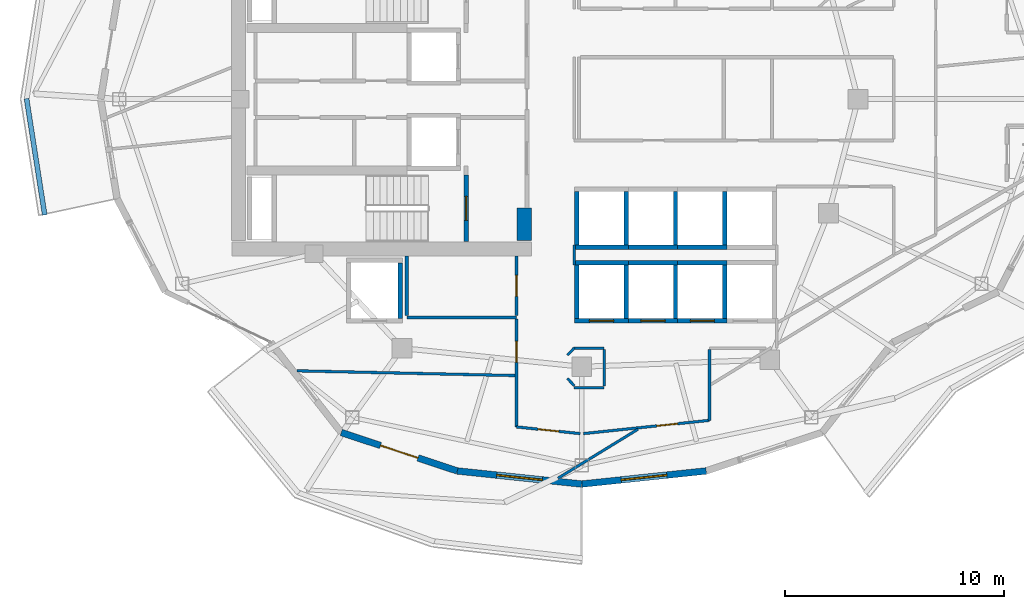
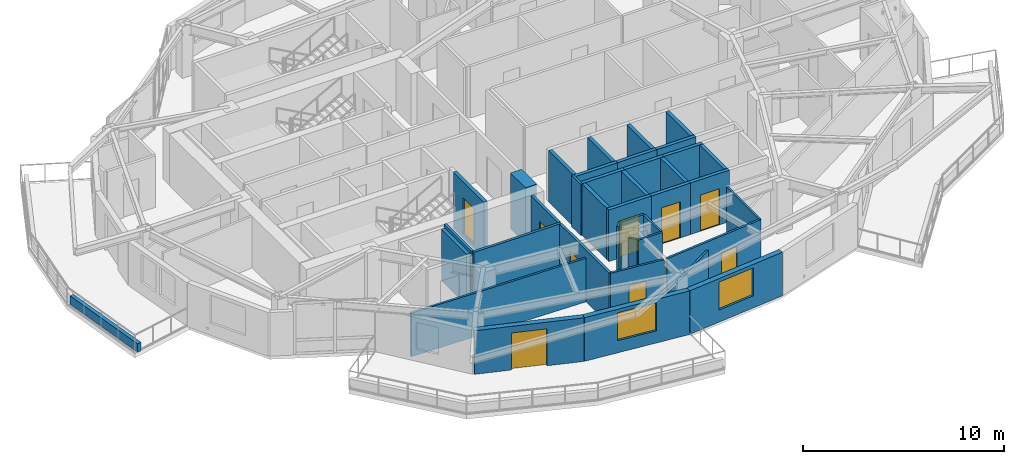
# One storey, part 7 of 16: 39 walls, 9 doors, 2 windows, 11 openings.
"""IFC4 building model written with IfcOpenShell, lengths in metres."""

import ifcopenshell
import ifcopenshell.guid

model = None  # the IFC model being written
_history = None  # IfcOwnerHistory: only IFC2X3 demands one
_inside = {}  # id of a spatial element -> (the spatial element, [elements in it])
_under = {}  # id of a project, library or spatial element -> (it, [spatial elements below it])
_declared = {}  # id of a project -> (the project, [libraries it declares])
_typed = {}  # id of a type object -> (the type object, [elements of that type])
_made_of = {}  # id of a material, layer set ... -> (it, [elements and type objects made of it])


def new_model(schema):
    """Start an empty IFC model of exactly this schema.

    Asked for "IFC4X3", IfcOpenShell would pick the latest addendum, in which some entities
    have other attributes; the version numbers below select the first issue.
    IFC2X3 requires an IfcOwnerHistory on every rooted entity: one is made here for all.
    """
    global model, _history
    if schema == "IFC4X3":
        model = ifcopenshell.file(schema_version=(4, 3, 0, 0))
    else:
        model = ifcopenshell.file(schema=schema)
    _inside.clear()
    _under.clear()
    _declared.clear()
    _typed.clear()
    _made_of.clear()
    _history = None
    if model.schema == "IFC2X3":
        org = make("IfcOrganization", Name="unknown")
        user = make(
            "IfcPersonAndOrganization",
            ThePerson=make("IfcPerson", FamilyName="unknown"),
            TheOrganization=org,
        )
        app = make(
            "IfcApplication",
            ApplicationDeveloper=org,
            Version="unknown",
            ApplicationFullName="unknown",
            ApplicationIdentifier="unknown",
        )
        _history = make(
            "IfcOwnerHistory",
            OwningUser=user,
            OwningApplication=app,
            ChangeAction="ADDED",
            CreationDate=0,
        )
    return model


def make(cls, **values):
    """One entity of the class cls with the attributes given. An attribute that is None is left unset."""
    return model.create_entity(
        cls, **{name: value for name, value in values.items() if value is not None}
    )


def rooted(cls, **values):
    """An entity with a GlobalId (a new one), such as an element, a storey or a relation."""
    return make(cls, GlobalId=ifcopenshell.guid.new(), OwnerHistory=_history, **values)


def si_unit(unit_type, name, prefix=None):
    """IfcSIUnit, for example si_unit("LENGTHUNIT", "METRE", prefix="MILLI")."""
    return make("IfcSIUnit", UnitType=unit_type, Prefix=prefix, Name=name)


def assignment(units):
    """IfcUnitAssignment: the units of a project."""
    return None if units is None else make("IfcUnitAssignment", Units=units)


def point(xyz):
    """IfcCartesianPoint."""
    return None if xyz is None else make("IfcCartesianPoint", Coordinates=xyz)


def direction(xyz):
    """IfcDirection."""
    return None if xyz is None else make("IfcDirection", DirectionRatios=xyz)


def frame(location, z_axis=None, x_axis=None):
    """IfcAxis2Placement3D, a coordinate frame: its origin and axes. An axis left out is left unset."""
    return make(
        "IfcAxis2Placement3D",
        Location=point(location),
        Axis=direction(z_axis),
        RefDirection=direction(x_axis),
    )


def frame_2d(location, x_axis=None):
    """IfcAxis2Placement2D, a coordinate frame in the plane: its origin and x axis."""
    return make(
        "IfcAxis2Placement2D", Location=point(location), RefDirection=direction(x_axis)
    )


def origin():
    """The frame at (0, 0, 0) with its axes left unset."""
    return frame((0.0, 0.0, 0.0))


def place(relative_to, where):
    """IfcLocalPlacement: puts the frame where relative to a parent placement (None: the world)."""
    return make(
        "IfcLocalPlacement", PlacementRelTo=relative_to, RelativePlacement=where
    )


def context(
    kind, dimensions, precision=None, world=None, true_north=None, identifier=None
):
    """IfcGeometricRepresentationContext, for example the 3D "Model" context."""
    return make(
        "IfcGeometricRepresentationContext",
        ContextIdentifier=identifier,
        ContextType=kind,
        CoordinateSpaceDimension=dimensions,
        Precision=precision,
        WorldCoordinateSystem=world,
        TrueNorth=true_north,
    )


def subcontext(parent, identifier, kind, view, scale=None):
    """IfcGeometricRepresentationSubContext, for example "Body" below "Model"."""
    return make(
        "IfcGeometricRepresentationSubContext",
        ContextIdentifier=identifier,
        ContextType=kind,
        ParentContext=parent,
        TargetScale=scale,
        TargetView=view,
    )


def project(units=None, contexts=None):
    """IfcProject with its units and contexts."""
    return rooted(
        "IfcProject",
        Name="project",
        RepresentationContexts=contexts,
        UnitsInContext=assignment(units),
    )


def spatial(cls, under=None, at=None, **own):
    """A site, building, storey or space (cls), placed at a placement, below another one or the project."""
    s = rooted(cls, ObjectPlacement=at, **own)
    if under is not None:
        _under.setdefault(under.id(), (under, []))[1].append(s)
    return s


def profile(cls, at=None, kind="AREA", **sizes):
    """A parametric profile (cls). Its sizes go by their IFC names, for example OverallWidth=200.0."""
    return make(cls, ProfileType=kind, Position=at, **sizes)


def rectangle(**sizes):
    """IfcRectangleProfileDef."""
    return profile("IfcRectangleProfileDef", **sizes)


def extrude(swept, where, along, depth):
    """IfcExtrudedAreaSolid: the profile swept, set in the frame where, extruded along a direction by depth."""
    return make(
        "IfcExtrudedAreaSolid",
        SweptArea=swept,
        Position=where,
        ExtrudedDirection=direction(along),
        Depth=depth,
    )


def shape(context_of_items, identifier, shape_type, items):
    """IfcShapeRepresentation: the items that make up one representation, for example the "Body"."""
    return make(
        "IfcShapeRepresentation",
        ContextOfItems=context_of_items,
        RepresentationIdentifier=identifier,
        RepresentationType=shape_type,
        Items=items,
    )


def material(Name=None, Category=None):
    """IfcMaterial."""
    return make("IfcMaterial", Name=Name, Category=Category)


def layer(
    of_material, thickness, ventilated=None, Name=None, Category=None, Priority=None
):
    """IfcMaterialLayer: one layer of a wall or slab, of a material (None: an air gap)."""
    return make(
        "IfcMaterialLayer",
        Material=of_material,
        LayerThickness=thickness,
        IsVentilated=ventilated,
        Name=Name,
        Category=Category,
        Priority=Priority,
    )


def layer_set(layers, Name=None):
    """IfcMaterialLayerSet."""
    return make("IfcMaterialLayerSet", MaterialLayers=layers, LayerSetName=Name)


def made_of(thing, what):
    """Note that an element or type object is made of a material, layer set ...; save() writes the relation."""
    if what is not None:
        _made_of.setdefault(what.id(), (what, []))[1].append(thing)
    return thing


def type_object(cls, material=None, **own):
    """A type object (cls), such as IfcWallType, which elements share."""
    return made_of(rooted(cls, **own), material)


def element(
    cls,
    number,
    at=None,
    inside=None,
    cuts=None,
    type_object=None,
    material=None,
    context=None,
    identifier="Body",
    shape_type=None,
    held_by="IfcProductDefinitionShape",
    body=None,
    shapes=None,
    **own,
):
    """One element of the class cls, such as IfcWall. Its Tag is "e" and its number.

    at: its placement. inside: the storey or other place that contains it. cuts: it is an
    opening in that element (IfcRelVoidsElement). A single representation is given by context,
    identifier, shape_type and body (its items); several are given by shapes. held_by: the class
    of the entity that holds the representations. save() writes the other relations.
    """
    e = rooted(cls, Tag="e%d" % number, ObjectPlacement=at, **own)
    if body is not None:
        shapes = [shape(context, identifier, shape_type, body)]
    if shapes is not None:
        e.Representation = make(held_by, Representations=shapes)
    if inside is not None:
        _inside.setdefault(inside.id(), (inside, []))[1].append(e)
    if cuts is not None:
        rooted(
            "IfcRelVoidsElement", RelatingBuildingElement=cuts, RelatedOpeningElement=e
        )
    if type_object is not None:
        _typed.setdefault(type_object.id(), (type_object, []))[1].append(e)
    return made_of(e, material)


def fill(opening, filler):
    """IfcRelFillsElement: the door or window that sits in an opening."""
    return rooted(
        "IfcRelFillsElement",
        RelatingOpeningElement=opening,
        RelatedBuildingElement=filler,
    )


def aggregate(whole, parts):
    """IfcRelAggregates: a whole, such as a stair, and the parts it consists of."""
    return rooted("IfcRelAggregates", RelatingObject=whole, RelatedObjects=parts)


def save(model, path):
    """Write the relations noted so far, then the file.

    IfcRelAggregates (storeys below a building ...), IfcRelContainedInSpatialStructure (elements
    in a storey), IfcRelDefinesByType, IfcRelAssociatesMaterial and IfcRelDeclares: one each for
    every whole, place, type object, material and project.
    """
    for whole, parts in _under.values():
        aggregate(whole, parts)
    for where, things in _inside.values():
        rooted(
            "IfcRelContainedInSpatialStructure",
            RelatedElements=things,
            RelatingStructure=where,
        )
    for kind, things in _typed.values():
        rooted("IfcRelDefinesByType", RelatedObjects=things, RelatingType=kind)
    for what, things in _made_of.values():
        rooted("IfcRelAssociatesMaterial", RelatedObjects=things, RelatingMaterial=what)
    for by, libraries in _declared.values():
        rooted("IfcRelDeclares", RelatingContext=by, RelatedDefinitions=libraries)
    model.write(path)


model = new_model("IFC4")

# Units and contexts
model_context = context("Model", 3, precision=1e-05, world=origin(), true_north=direction((0.0, 1.0)))
body_context = subcontext(model_context, "Body", "Model", "MODEL_VIEW")
ifc_project = project(units=[si_unit("LENGTHUNIT", "METRE"), si_unit("AREAUNIT", "SQUARE_METRE"), si_unit("VOLUMEUNIT", "CUBIC_METRE"), si_unit("PLANEANGLEUNIT", "RADIAN"), si_unit("MASSUNIT", "GRAM", prefix="KILO")], contexts=[model_context])

# Site, building, storey
site_placement = place(None, origin())
site = spatial("IfcSite", under=ifc_project, at=site_placement, CompositionType="ELEMENT")
building_placement = place(site_placement, origin())
building = spatial("IfcBuilding", under=site, at=building_placement, Name="Kolvaren Gate Tower and Convention Centre", CompositionType="ELEMENT")
storey_placement = place(building_placement, frame((0.0, 0.0, 149.5)))
storey = spatial("IfcBuildingStorey", under=building, at=storey_placement, Name="L38", CompositionType="ELEMENT", Elevation=149.5)

# Walls
ifc_material_1 = material(Name="Fire-Rated Acoustic Gypsum Stud Partition", Category="gypsum")
ifc_layer_1 = layer(ifc_material_1, 0.1201171875)
ifc_layer_set_1 = layer_set([ifc_layer_1], Name="Fire-Rated Acoustic Gypsum Stud Partition")
wall_type_1 = type_object("IfcWallType", Name="ARCH-WL-PART-120", PredefinedType="PARTITIONING", material=ifc_layer_set_1)
wall_1_placement = place(storey_placement, frame((29.780029296875, 15.64990234375, 0.0), z_axis=(0.0, 0.0, 1.0), x_axis=(1.0, 0.0, 0.0)))
element("IfcWall", 1, at=wall_1_placement, inside=storey, type_object=wall_type_1, Name="Interior Partition WL-L38-INT-025", PredefinedType="PARTITIONING", context=body_context, shape_type="SweptSolid", body=[
    extrude(rectangle(XDim=1.369873046875, YDim=0.1201171875, at=frame_2d((0.68505859375, 0.0))), origin(), (0.0, 0.0, 1.0), 3.1298828125),
])
wall_2_placement = place(storey_placement, frame((35.949951171875, 12.35595703125, 0.0), z_axis=(0.0, 0.0, 1.0), x_axis=(0.0, 1.0, 0.0)))
element("IfcWall", 2, at=wall_2_placement, inside=storey, type_object=wall_type_1, Name="Interior Partition WL-L38-INT-027", PredefinedType="PARTITIONING", context=body_context, shape_type="SweptSolid", body=[
    extrude(rectangle(XDim=3.23193359375, YDim=0.1201171875, at=frame_2d((1.615966796875, 0.0))), origin(), (0.0, 0.0, 1.0), 3.1298828125),
])

# Wall, opening, door
wall_3_placement = place(storey_placement, frame((30.195068359375, 11.75, 0.0), z_axis=(0.0, 0.0, 1.0), x_axis=(0.994502215954, 0.104715531139, 0.0)))
wall_3 = element("IfcWall", 3, at=wall_3_placement, inside=storey, type_object=wall_type_1, Name="Interior Partition WL-L38-INT-028", PredefinedType="PARTITIONING", context=body_context, shape_type="SweptSolid", body=[
    extrude(rectangle(XDim=5.78662109375, YDim=0.1201171875, at=frame_2d((2.893310546875, 0.0))), origin(), (0.0, 0.0, 1.0), 3.1298828125),
])
opening_1_placement = place(wall_3_placement, frame((3.369140625, 0.0, 0.0)))
opening_1 = element("IfcOpeningElement", 4, at=opening_1_placement, cuts=wall_3, Name="Opening DR-01", PredefinedType="OPENING", context=body_context, shape_type="SweptSolid", body=[
    extrude(rectangle(XDim=0.949951171875, YDim=2.10009765625, at=frame_2d((0.47509765625, 1.050048828125))), frame((0.0, 0.070068359375, 0.0), z_axis=(0.0, -1.0, 0.0), x_axis=(1.0, 0.0, 0.0)), (0.0, 0.0, 1.0), 0.14013671875),
])
ifc_material_2 = material(Name="Painted Architectural Steelwork ASTM A500 Grade C 345 MPa", Category="steel")
door_type_1 = type_object("IfcDoorType", Name="ARCH-DR-RISER-950", OperationType="SINGLE_SWING_RIGHT", PredefinedType="DOOR", material=ifc_material_2)
door_1_placement = place(opening_1_placement, origin())
door_1 = element("IfcDoor", 5, at=door_1_placement, inside=storey, type_object=door_type_1, Name="Banquet Catering Kitchen Door", OperationType="SINGLE_SWING_LEFT", OverallHeight=2.10009765625, OverallWidth=0.949951171875, PredefinedType="DOOR", context=body_context, shape_type="SweptSolid", body=[
    extrude(rectangle(XDim=0.949951171875, YDim=2.10009765625, at=frame_2d((0.47509765625, 1.050048828125))), frame((0.0, 0.02490234375, 0.0), z_axis=(0.0, -1.0, 0.0), x_axis=(1.0, 0.0, 0.0)), (0.0, 0.0, 1.0), 0.050048828125),
])
fill(opening_1, door_1)

wall_4_placement = place(storey_placement, frame((27.14990234375, 12.055908203125, 0.0), z_axis=(0.0, 0.0, 1.0), x_axis=(0.994501330468, -0.104723940422, 0.0)))
wall_4 = element("IfcWall", 6, at=wall_4_placement, inside=storey, type_object=wall_type_1, Name="Interior Partition WL-L38-INT-029", PredefinedType="PARTITIONING", context=body_context, shape_type="SweptSolid", body=[
    extrude(rectangle(XDim=2.921142578125, YDim=0.1201171875, at=frame_2d((1.46044921875, 0.0))), origin(), (0.0, 0.0, 1.0), 3.1298828125),
])
opening_2_placement = place(wall_4_placement, frame((0.985595703125, 0.0, 0.0)))
opening_2 = element("IfcOpeningElement", 7, at=opening_2_placement, cuts=wall_4, Name="Opening DR-01", PredefinedType="OPENING", context=body_context, shape_type="SweptSolid", body=[
    extrude(rectangle(XDim=0.949951171875, YDim=2.10009765625, at=frame_2d((0.47509765625, 1.050048828125))), frame((0.0, 0.070068359375, 0.0), z_axis=(0.0, -1.0, 0.0), x_axis=(1.0, 0.0, 0.0)), (0.0, 0.0, 1.0), 0.14013671875),
])
door_2_placement = place(opening_2_placement, origin())
door_2 = element("IfcDoor", 8, at=door_2_placement, inside=storey, type_object=door_type_1, Name="Banquet Tasting Pantry Door", OperationType="SINGLE_SWING_RIGHT", OverallHeight=2.10009765625, OverallWidth=0.949951171875, PredefinedType="DOOR", context=body_context, shape_type="SweptSolid", body=[
    extrude(rectangle(XDim=0.949951171875, YDim=2.10009765625, at=frame_2d((0.47509765625, 1.050048828125))), frame((0.0, 0.02490234375, 0.0), z_axis=(0.0, -1.0, 0.0), x_axis=(1.0, 0.0, 0.0)), (0.0, 0.0, 1.0), 0.050048828125),
])
fill(opening_2, door_2)

# Walls
wall_5_placement = place(storey_placement, frame((29.780029296875, 19.43994140625, 0.0), z_axis=(0.0, 0.0, 1.0), x_axis=(0.0, 1.0, 0.0)))
element("IfcWall", 9, at=wall_5_placement, inside=storey, type_object=wall_type_1, Name="Interior Partition WL-L38-INT-032", PredefinedType="PARTITIONING", context=body_context, shape_type="SweptSolid", body=[
    extrude(rectangle(XDim=0.920166015625, YDim=0.1201171875, at=frame_2d((0.4599609375, 0.0))), origin(), (0.0, 0.0, 1.0), 3.1298828125),
])
wall_6_placement = place(storey_placement, frame((29.47607421875, 15.3330078125, 0.0), z_axis=(0.0, 0.0, 1.0), x_axis=(0.692219273951, 0.721687243043, 0.0)))
element("IfcWall", 10, at=wall_6_placement, inside=storey, type_object=wall_type_1, Name="Interior Partition WL-L38-INT-048", PredefinedType="PARTITIONING", context=body_context, shape_type="SweptSolid", body=[
    extrude(rectangle(XDim=0.439208984375, YDim=0.1201171875, at=frame_2d((0.2197265625, 0.0))), origin(), (0.0, 0.0, 1.0), 3.1298828125),
])
wall_7_placement = place(storey_placement, frame((29.47607421875, 14.26708984375, 0.0), z_axis=(0.0, 0.0, 1.0), x_axis=(0.670659392016, -0.741765448037, 0.0)))
element("IfcWall", 11, at=wall_7_placement, inside=storey, type_object=wall_type_1, Name="Interior Partition WL-L38-INT-049", PredefinedType="PARTITIONING", context=body_context, shape_type="SweptSolid", body=[
    extrude(rectangle(XDim=0.453125, YDim=0.1201171875, at=frame_2d((0.2265625, 0.0))), origin(), (0.0, 0.0, 1.0), 3.1298828125),
])
wall_8_placement = place(storey_placement, frame((29.780029296875, 13.85009765625, 0.0), z_axis=(0.0, 0.0, 1.0), x_axis=(1.0, 0.0, 0.0)))
element("IfcWall", 12, at=wall_8_placement, inside=storey, type_object=wall_type_1, Name="Interior Partition WL-L38-INT-050", PredefinedType="PARTITIONING", context=body_context, shape_type="SweptSolid", body=[
    extrude(rectangle(XDim=1.369873046875, YDim=0.1201171875, at=frame_2d((0.68505859375, 0.0))), origin(), (0.0, 0.0, 1.0), 3.1298828125),
])
wall_9_placement = place(storey_placement, frame((31.14990234375, 13.912109375, 0.0), z_axis=(0.0, 0.0, 1.0), x_axis=(0.0, 1.0, 0.0)))
element("IfcWall", 13, at=wall_9_placement, inside=storey, type_object=wall_type_1, Name="Interior Partition WL-L38-INT-051", PredefinedType="PARTITIONING", context=body_context, shape_type="SweptSolid", body=[
    extrude(rectangle(XDim=1.67578125, YDim=0.1201171875, at=frame_2d((0.837890625, 0.0))), origin(), (0.0, 0.0, 1.0), 3.1298828125),
])
wall_10_placement = place(storey_placement, frame((17.147216796875, 14.614013671875, 0.0), z_axis=(0.0, 0.0, 1.0), x_axis=(0.99976262581, -0.021787428337, 0.0)))
element("IfcWall", 14, at=wall_10_placement, inside=storey, type_object=wall_type_1, Name="Interior Partition WL-L38-INT-054", PredefinedType="PARTITIONING", context=body_context, shape_type="SweptSolid", body=[
    extrude(rectangle(XDim=9.92822265625, YDim=0.1201171875, at=frame_2d((4.964111328125, 0.0))), origin(), (0.0, 0.0, 1.0), 2.653076171875),
])
wall_11_placement = place(storey_placement, frame((29.042724609375, 9.716796875, 0.0), z_axis=(0.0, 0.0, 1.0), x_axis=(0.85263162776, 0.522512494916, 0.0)))
element("IfcWall", 15, at=wall_11_placement, inside=storey, type_object=wall_type_1, Name="Interior Partition WL-L38-INT-055", PredefinedType="PARTITIONING", context=body_context, shape_type="SweptSolid", body=[
    extrude(rectangle(XDim=4.27392578125, YDim=0.1201171875, at=frame_2d((2.136962890625, 0.0))), origin(), (0.0, 0.0, 1.0), 2.653076171875),
])
ifc_material_3 = material(Name="Piedmont Cream Honed Limestone Cladding", Category="masonry")
ifc_layer_2 = layer(ifc_material_3, 0.219970703125)
ifc_layer_set_2 = layer_set([ifc_layer_2], Name="Piedmont Cream Honed Limestone Cladding")
wall_type_2 = type_object("IfcWallType", Name="ARCH-WL-PLANTER-220", PredefinedType="PARAPET", material=ifc_layer_set_2)
wall_12_placement = place(storey_placement, frame((4.805908203125, 27.029296875, 0.0), z_axis=(0.0, 0.0, 1.0), x_axis=(0.154245214003, -0.988032597619, 0.0)))
element("IfcWall", 16, at=wall_12_placement, inside=storey, type_object=wall_type_2, Name="Vertical-Forest Balcony Stone Planter Kerb PK-L38-2.3", PredefinedType="PARAPET", context=body_context, shape_type="SweptSolid", body=[
    extrude(rectangle(XDim=5.37353515625, YDim=0.219970703125, at=frame_2d((2.686767578125, 0.0))), origin(), (0.0, 0.0, 1.0), 0.52001953125),
])
ifc_material_4 = material(Name="Autoclaved Aerated Masonry Blockwork Class 4 (4.0 MPa)", Category="masonry")
ifc_layer_3 = layer(ifc_material_4, 0.199951171875)
ifc_layer_set_3 = layer_set([ifc_layer_3], Name="Autoclaved Aerated Masonry Blockwork Class 4 (4.0 MPa)")
wall_type_3 = type_object("IfcWallType", Name="ARCH-WL-SHAFT-200", PredefinedType="SOLIDWALL", material=ifc_layer_set_3)
wall_13_placement = place(storey_placement, frame((21.85009765625, 17.010009765625, 0.0), z_axis=(0.0, 0.0, 1.0), x_axis=(0.0, 1.0, 0.0)))
element("IfcWall", 17, at=wall_13_placement, inside=storey, type_object=wall_type_3, Name="Elevator SV-01 L38 Fire Shaft Wall E", PredefinedType="SOLIDWALL", context=body_context, shape_type="SweptSolid", body=[
    extrude(rectangle(XDim=2.530029296875, YDim=0.199951171875, at=frame_2d((1.26513671875, 0.0))), origin(), (0.0, 0.0, 1.0), 3.1298828125),
])
wall_14_placement = place(storey_placement, frame((29.800048828125, 19.550048828125, 0.0), z_axis=(0.0, 0.0, 1.0), x_axis=(1.0, 0.0, 0.0)))
element("IfcWall", 18, at=wall_14_placement, inside=storey, type_object=wall_type_3, Name="Elevator PL-05 L38 Fire Shaft Wall N", PredefinedType="SOLIDWALL", context=body_context, shape_type="SweptSolid", body=[
    extrude(rectangle(XDim=2.449951171875, YDim=0.199951171875, at=frame_2d((1.22509765625, 0.0))), origin(), (0.0, 0.0, 1.0), 3.1298828125),
])

# Wall, opening, door
wall_15_placement = place(storey_placement, frame((29.800048828125, 16.89990234375, 0.0), z_axis=(0.0, 0.0, 1.0), x_axis=(1.0, 0.0, 0.0)))
wall_15 = element("IfcWall", 19, at=wall_15_placement, inside=storey, type_object=wall_type_3, Name="Elevator PL-05 L38 Fire Shaft Wall S", PredefinedType="SOLIDWALL", context=body_context, shape_type="SweptSolid", body=[
    extrude(rectangle(XDim=2.449951171875, YDim=0.199951171875, at=frame_2d((1.22509765625, 0.0))), origin(), (0.0, 0.0, 1.0), 3.1298828125),
])
opening_3_placement = place(wall_15_placement, frame((0.675048828125, 0.0, 0.0)))
opening_3 = element("IfcOpeningElement", 20, at=opening_3_placement, cuts=wall_15, Name="Opening LD", PredefinedType="OPENING", context=body_context, shape_type="SweptSolid", body=[
    extrude(rectangle(XDim=1.10009765625, YDim=2.199951171875, at=frame_2d((0.550048828125, 1.10009765625))), frame((0.0, 0.10986328125, 0.0), z_axis=(0.0, -1.0, 0.0), x_axis=(1.0, 0.0, 0.0)), (0.0, 0.0, 1.0), 0.219970703125),
])
ifc_material_5 = material(Name="Brushed Stainless Steel Grade 316L", Category="steel")
door_type_2 = type_object("IfcDoorType", Name="ARCH-DR-LIFT-1100", OperationType="SLIDING_TO_LEFT", PredefinedType="DOOR", material=ifc_material_5)
door_3_placement = place(opening_3_placement, origin())
door_3 = element("IfcDoor", 21, at=door_3_placement, inside=storey, type_object=door_type_2, Name="Elevator PL-05 L38 Sliding Landing Door", OperationType="SLIDING_TO_LEFT", OverallHeight=2.199951171875, OverallWidth=1.10009765625, PredefinedType="DOOR", context=body_context, shape_type="SweptSolid", body=[
    extrude(rectangle(XDim=1.10009765625, YDim=2.199951171875, at=frame_2d((0.550048828125, 1.10009765625))), frame((0.0, 0.02490234375, 0.0), z_axis=(0.0, -1.0, 0.0), x_axis=(1.0, 0.0, 0.0)), (0.0, 0.0, 1.0), 0.050048828125),
])
fill(opening_3, door_3)

# Walls
for number, where, z_axis, x_axis, name in (
    (22, (29.89990234375, 17.010009765625, 0.0), (0.0, 0.0, 1.0), (0.0, 1.0, 0.0), "Elevator PL-05 L38 Fire Shaft Wall W"),
    (23, (32.14990234375, 17.010009765625, 0.0), (0.0, 0.0, 1.0), (0.0, 1.0, 0.0), "Elevator PL-05 L38 Fire Shaft Wall E"),
):
    element("IfcWall", number, at=place(storey_placement, frame(where, z_axis=z_axis, x_axis=x_axis)), inside=storey, type_object=wall_type_3, Name=name, PredefinedType="SOLIDWALL", context=body_context, shape_type="SweptSolid", body=[
        extrude(rectangle(XDim=2.429931640625, YDim=0.199951171875, at=frame_2d((1.21484375, 0.0))), origin(), (0.0, 0.0, 1.0), 3.1298828125),
    ])
wall_16_placement = place(storey_placement, frame((32.25, 19.550048828125, 0.0), z_axis=(0.0, 0.0, 1.0), x_axis=(1.0, 0.0, 0.0)))
element("IfcWall", 24, at=wall_16_placement, inside=storey, type_object=wall_type_3, Name="Elevator PL-06 L38 Fire Shaft Wall N", PredefinedType="SOLIDWALL", context=body_context, shape_type="SweptSolid", body=[
    extrude(rectangle(XDim=2.25, YDim=0.199951171875, at=frame_2d((1.125, 0.0))), origin(), (0.0, 0.0, 1.0), 3.1298828125),
])

# Wall, opening, door
wall_17_placement = place(storey_placement, frame((32.25, 16.89990234375, 0.0), z_axis=(0.0, 0.0, 1.0), x_axis=(1.0, 0.0, 0.0)))
wall_17 = element("IfcWall", 25, at=wall_17_placement, inside=storey, type_object=wall_type_3, Name="Elevator PL-06 L38 Fire Shaft Wall S", PredefinedType="SOLIDWALL", context=body_context, shape_type="SweptSolid", body=[
    extrude(rectangle(XDim=2.25, YDim=0.199951171875, at=frame_2d((1.125, 0.0))), origin(), (0.0, 0.0, 1.0), 3.1298828125),
])
opening_4_placement = place(wall_17_placement, frame((0.574951171875, 0.0, 0.0)))
opening_4 = element("IfcOpeningElement", 26, at=opening_4_placement, cuts=wall_17, Name="Opening LD", PredefinedType="OPENING", context=body_context, shape_type="SweptSolid", body=[
    extrude(rectangle(XDim=1.10009765625, YDim=2.199951171875, at=frame_2d((0.550048828125, 1.10009765625))), frame((0.0, 0.10986328125, 0.0), z_axis=(0.0, -1.0, 0.0), x_axis=(1.0, 0.0, 0.0)), (0.0, 0.0, 1.0), 0.219970703125),
])
door_4_placement = place(opening_4_placement, origin())
door_4 = element("IfcDoor", 27, at=door_4_placement, inside=storey, type_object=door_type_2, Name="Elevator PL-06 L38 Sliding Landing Door", OperationType="SLIDING_TO_LEFT", OverallHeight=2.199951171875, OverallWidth=1.10009765625, PredefinedType="DOOR", context=body_context, shape_type="SweptSolid", body=[
    extrude(rectangle(XDim=1.10009765625, YDim=2.199951171875, at=frame_2d((0.550048828125, 1.10009765625))), frame((0.0, 0.02490234375, 0.0), z_axis=(0.0, -1.0, 0.0), x_axis=(1.0, 0.0, 0.0)), (0.0, 0.0, 1.0), 0.050048828125),
])
fill(opening_4, door_4)

# Walls
wall_18_placement = place(storey_placement, frame((34.39990234375, 17.010009765625, 0.0), z_axis=(0.0, 0.0, 1.0), x_axis=(0.0, 1.0, 0.0)))
element("IfcWall", 28, at=wall_18_placement, inside=storey, type_object=wall_type_3, Name="Elevator PL-06 L38 Fire Shaft Wall E", PredefinedType="SOLIDWALL", context=body_context, shape_type="SweptSolid", body=[
    extrude(rectangle(XDim=2.429931640625, YDim=0.199951171875, at=frame_2d((1.21484375, 0.0))), origin(), (0.0, 0.0, 1.0), 3.1298828125),
])
wall_19_placement = place(storey_placement, frame((34.5, 19.550048828125, 0.0), z_axis=(0.0, 0.0, 1.0), x_axis=(1.0, 0.0, 0.0)))
element("IfcWall", 29, at=wall_19_placement, inside=storey, type_object=wall_type_3, Name="Elevator PL-07 L38 Fire Shaft Wall N", PredefinedType="SOLIDWALL", context=body_context, shape_type="SweptSolid", body=[
    extrude(rectangle(XDim=2.25, YDim=0.199951171875, at=frame_2d((1.125, 0.0))), origin(), (0.0, 0.0, 1.0), 3.1298828125),
])

# Wall, opening, door
wall_20_placement = place(storey_placement, frame((34.5, 16.89990234375, 0.0), z_axis=(0.0, 0.0, 1.0), x_axis=(1.0, 0.0, 0.0)))
wall_20 = element("IfcWall", 30, at=wall_20_placement, inside=storey, type_object=wall_type_3, Name="Elevator PL-07 L38 Fire Shaft Wall S", PredefinedType="SOLIDWALL", context=body_context, shape_type="SweptSolid", body=[
    extrude(rectangle(XDim=2.25, YDim=0.199951171875, at=frame_2d((1.125, 0.0))), origin(), (0.0, 0.0, 1.0), 3.1298828125),
])
opening_5_placement = place(wall_20_placement, frame((0.574951171875, 0.0, 0.0)))
opening_5 = element("IfcOpeningElement", 31, at=opening_5_placement, cuts=wall_20, Name="Opening LD", PredefinedType="OPENING", context=body_context, shape_type="SweptSolid", body=[
    extrude(rectangle(XDim=1.10009765625, YDim=2.199951171875, at=frame_2d((0.550048828125, 1.10009765625))), frame((0.0, 0.10986328125, 0.0), z_axis=(0.0, -1.0, 0.0), x_axis=(1.0, 0.0, 0.0)), (0.0, 0.0, 1.0), 0.219970703125),
])
door_5_placement = place(opening_5_placement, origin())
door_5 = element("IfcDoor", 32, at=door_5_placement, inside=storey, type_object=door_type_2, Name="Elevator PL-07 L38 Sliding Landing Door", OperationType="SLIDING_TO_LEFT", OverallHeight=2.199951171875, OverallWidth=1.10009765625, PredefinedType="DOOR", context=body_context, shape_type="SweptSolid", body=[
    extrude(rectangle(XDim=1.10009765625, YDim=2.199951171875, at=frame_2d((0.550048828125, 1.10009765625))), frame((0.0, 0.02490234375, 0.0), z_axis=(0.0, -1.0, 0.0), x_axis=(1.0, 0.0, 0.0)), (0.0, 0.0, 1.0), 0.050048828125),
])
fill(opening_5, door_5)

# Walls
wall_21_placement = place(storey_placement, frame((36.64990234375, 17.010009765625, 0.0), z_axis=(0.0, 0.0, 1.0), x_axis=(0.0, 1.0, 0.0)))
element("IfcWall", 33, at=wall_21_placement, inside=storey, type_object=wall_type_3, Name="Elevator PL-07 L38 Fire Shaft Wall E", PredefinedType="SOLIDWALL", context=body_context, shape_type="SweptSolid", body=[
    extrude(rectangle(XDim=2.429931640625, YDim=0.199951171875, at=frame_2d((1.21484375, 0.0))), origin(), (0.0, 0.0, 1.0), 3.1298828125),
])
wall_22_placement = place(storey_placement, frame((29.800048828125, 20.25, 0.0), z_axis=(0.0, 0.0, 1.0), x_axis=(1.0, 0.0, 0.0)))
element("IfcWall", 34, at=wall_22_placement, inside=storey, type_object=wall_type_3, Name="Elevator PL-09 L38 Fire Shaft Wall S", PredefinedType="SOLIDWALL", context=body_context, shape_type="SweptSolid", body=[
    extrude(rectangle(XDim=2.449951171875, YDim=0.199951171875, at=frame_2d((1.22509765625, 0.0))), origin(), (0.0, 0.0, 1.0), 3.1298828125),
])
for number, where, z_axis, x_axis, name in (
    (35, (29.89990234375, 20.360107421875, 0.0), (0.0, 0.0, 1.0), (0.0, 1.0, 0.0), "Elevator PL-09 L38 Fire Shaft Wall W"),
    (36, (32.14990234375, 20.360107421875, 0.0), (0.0, 0.0, 1.0), (0.0, 1.0, 0.0), "Elevator PL-09 L38 Fire Shaft Wall E"),
):
    element("IfcWall", number, at=place(storey_placement, frame(where, z_axis=z_axis, x_axis=x_axis)), inside=storey, type_object=wall_type_3, Name=name, PredefinedType="SOLIDWALL", context=body_context, shape_type="SweptSolid", body=[
        extrude(rectangle(XDim=2.429931640625, YDim=0.199951171875, at=frame_2d((1.21484375, 0.0))), origin(), (0.0, 0.0, 1.0), 3.1298828125),
    ])
wall_23_placement = place(storey_placement, frame((32.25, 20.25, 0.0), z_axis=(0.0, 0.0, 1.0), x_axis=(1.0, 0.0, 0.0)))
element("IfcWall", 37, at=wall_23_placement, inside=storey, type_object=wall_type_3, Name="Elevator PL-10 L38 Fire Shaft Wall S", PredefinedType="SOLIDWALL", context=body_context, shape_type="SweptSolid", body=[
    extrude(rectangle(XDim=2.25, YDim=0.199951171875, at=frame_2d((1.125, 0.0))), origin(), (0.0, 0.0, 1.0), 3.1298828125),
])
wall_24_placement = place(storey_placement, frame((34.39990234375, 20.360107421875, 0.0), z_axis=(0.0, 0.0, 1.0), x_axis=(0.0, 1.0, 0.0)))
element("IfcWall", 38, at=wall_24_placement, inside=storey, type_object=wall_type_3, Name="Elevator PL-10 L38 Fire Shaft Wall E", PredefinedType="SOLIDWALL", context=body_context, shape_type="SweptSolid", body=[
    extrude(rectangle(XDim=2.429931640625, YDim=0.199951171875, at=frame_2d((1.21484375, 0.0))), origin(), (0.0, 0.0, 1.0), 3.1298828125),
])
wall_25_placement = place(storey_placement, frame((34.5, 20.25, 0.0), z_axis=(0.0, 0.0, 1.0), x_axis=(1.0, 0.0, 0.0)))
element("IfcWall", 39, at=wall_25_placement, inside=storey, type_object=wall_type_3, Name="Elevator PL-11 L38 Fire Shaft Wall S", PredefinedType="SOLIDWALL", context=body_context, shape_type="SweptSolid", body=[
    extrude(rectangle(XDim=2.25, YDim=0.199951171875, at=frame_2d((1.125, 0.0))), origin(), (0.0, 0.0, 1.0), 3.1298828125),
])
wall_26_placement = place(storey_placement, frame((36.64990234375, 20.360107421875, 0.0), z_axis=(0.0, 0.0, 1.0), x_axis=(0.0, 1.0, 0.0)))
element("IfcWall", 40, at=wall_26_placement, inside=storey, type_object=wall_type_3, Name="Elevator PL-11 L38 Fire Shaft Wall E", PredefinedType="SOLIDWALL", context=body_context, shape_type="SweptSolid", body=[
    extrude(rectangle(XDim=2.429931640625, YDim=0.199951171875, at=frame_2d((1.21484375, 0.0))), origin(), (0.0, 0.0, 1.0), 3.1298828125),
])

# Wall, opening, door
ifc_layer_4 = layer(ifc_material_3, 0.300048828125)
ifc_layer_set_4 = layer_set([ifc_layer_4], Name="Piedmont Cream Honed Limestone Cladding")
wall_type_4 = type_object("IfcWallType", Name="ARCH-WL-STONE-300", PredefinedType="SOLIDWALL", material=ifc_layer_set_4)
wall_27_placement = place(storey_placement, frame((19.15625, 11.80126953125, 0.0), z_axis=(0.0, 0.0, 1.0), x_axis=(0.949246811547, -0.314532177636, 0.0)))
wall_27 = element("IfcWall", 41, at=wall_27_placement, inside=storey, type_object=wall_type_4, Name="Tower L38 Honed Stone Spandrel Wall EW-16", PredefinedType="SOLIDWALL", context=body_context, shape_type="SweptSolid", body=[
    extrude(rectangle(XDim=5.573974609375, YDim=0.300048828125, at=frame_2d((2.787109375, 0.0))), origin(), (0.0, 0.0, 1.0), 2.653076171875),
])
opening_6_placement = place(wall_27_placement, frame((1.886962890625, 0.0, 0.0)))
opening_6 = element("IfcOpeningElement", 42, at=opening_6_placement, cuts=wall_27, Name="Opening DB-01", PredefinedType="OPENING", context=body_context, shape_type="SweptSolid", body=[
    extrude(rectangle(XDim=1.800048828125, YDim=2.25, at=frame_2d((0.89990234375, 1.125))), frame((0.0, 0.159912109375, 0.0), z_axis=(0.0, -1.0, 0.0), x_axis=(1.0, 0.0, 0.0)), (0.0, 0.0, 1.0), 0.320068359375),
])
ifc_material_6 = material(Name="Anodized Architectural Aluminium Alloy 6063-T6", Category="aluminium")
door_type_3 = type_object("IfcDoorType", Name="ARCH-DR-BALC-1800", OperationType="SLIDING_TO_LEFT", PredefinedType="DOOR", material=ifc_material_6)
door_6_placement = place(opening_6_placement, frame((1.800048828125, 0.0, 0.0), z_axis=(0.0, 0.0, 1.0), x_axis=(-1.0, 0.0, 0.0)))
door_6 = element("IfcDoor", 43, at=door_6_placement, inside=storey, type_object=door_type_3, Name="Planted Sky Terrace Access Door DB-L38-16", OperationType="SLIDING_TO_LEFT", OverallHeight=2.25, OverallWidth=1.800048828125, PredefinedType="DOOR", context=body_context, shape_type="SweptSolid", body=[
    extrude(rectangle(XDim=1.800048828125, YDim=2.25, at=frame_2d((0.89990234375, 1.125))), frame((0.0, 0.02490234375, 0.0), z_axis=(0.0, -1.0, 0.0), x_axis=(1.0, 0.0, 0.0)), (0.0, 0.0, 1.0), 0.050048828125),
])
fill(opening_6, door_6)

# Wall, opening, window
wall_28_placement = place(storey_placement, frame((24.447265625, 10.048095703125, 0.0), z_axis=(0.0, 0.0, 1.0), x_axis=(0.994496545245, -0.104769372887, 0.0)))
wall_28 = element("IfcWall", 44, at=wall_28_placement, inside=storey, type_object=wall_type_4, Name="Tower L38 Honed Stone Spandrel Wall EW-17", PredefinedType="SOLIDWALL", context=body_context, shape_type="SweptSolid", body=[
    extrude(rectangle(XDim=5.709228515625, YDim=0.300048828125, at=frame_2d((2.8544921875, 0.0))), origin(), (0.0, 0.0, 1.0), 2.653076171875),
])
opening_7_placement = place(wall_28_placement, frame((1.804931640625, 0.0, 0.739990234375)))
opening_7 = element("IfcOpeningElement", 45, at=opening_7_placement, cuts=wall_28, Name="Opening W-02", PredefinedType="OPENING", context=body_context, shape_type="SweptSolid", body=[
    extrude(rectangle(XDim=2.10009765625, YDim=1.699951171875, at=frame_2d((1.050048828125, 0.85009765625))), frame((0.0, 0.159912109375, 0.0), z_axis=(0.0, -1.0, 0.0), x_axis=(1.0, 0.0, 0.0)), (0.0, 0.0, 1.0), 0.320068359375),
])
ifc_material_7 = material(Name="Low-E Triple Insulated Glazing Unit 44 mm", Category="glass")
window_type = type_object("IfcWindowType", Name="ARCH-WN-HTL-2100", PartitioningType="SINGLE_PANEL", PredefinedType="WINDOW", material=ifc_material_7)
window_1_placement = place(opening_7_placement, origin())
window_1 = element("IfcWindow", 46, at=window_1_placement, inside=storey, type_object=window_type, Name="Tower L38 Punched Stone Facade Window W-17", OverallHeight=1.699951171875, OverallWidth=2.10009765625, PartitioningType="SINGLE_PANEL", PredefinedType="WINDOW", context=body_context, shape_type="SweptSolid", body=[
    extrude(rectangle(XDim=2.10009765625, YDim=1.699951171875, at=frame_2d((1.050048828125, 0.85009765625))), frame((0.0, 0.030029296875, 0.0), z_axis=(0.0, -1.0, 0.0), x_axis=(1.0, 0.0, 0.0)), (0.0, 0.0, 1.0), 0.06005859375),
])
fill(opening_7, window_1)

wall_29_placement = place(storey_placement, frame((30.125, 9.449951171875, 0.0), z_axis=(0.0, 0.0, 1.0), x_axis=(0.994496545245, 0.104769372887, 0.0)))
wall_29 = element("IfcWall", 47, at=wall_29_placement, inside=storey, type_object=wall_type_4, Name="Tower L38 Honed Stone Spandrel Wall EW-18", PredefinedType="SOLIDWALL", context=body_context, shape_type="SweptSolid", body=[
    extrude(rectangle(XDim=5.709228515625, YDim=0.300048828125, at=frame_2d((2.8544921875, 0.0))), origin(), (0.0, 0.0, 1.0), 2.653076171875),
])
opening_8_placement = place(wall_29_placement, frame((1.804931640625, 0.0, 0.739990234375)))
opening_8 = element("IfcOpeningElement", 48, at=opening_8_placement, cuts=wall_29, Name="Opening W-02", PredefinedType="OPENING", context=body_context, shape_type="SweptSolid", body=[
    extrude(rectangle(XDim=2.10009765625, YDim=1.699951171875, at=frame_2d((1.050048828125, 0.85009765625))), frame((0.0, 0.159912109375, 0.0), z_axis=(0.0, -1.0, 0.0), x_axis=(1.0, 0.0, 0.0)), (0.0, 0.0, 1.0), 0.320068359375),
])
window_2_placement = place(opening_8_placement, origin())
window_2 = element("IfcWindow", 49, at=window_2_placement, inside=storey, type_object=window_type, Name="Tower L38 Punched Stone Facade Window W-18", OverallHeight=1.699951171875, OverallWidth=2.10009765625, PartitioningType="SINGLE_PANEL", PredefinedType="WINDOW", context=body_context, shape_type="SweptSolid", body=[
    extrude(rectangle(XDim=2.10009765625, YDim=1.699951171875, at=frame_2d((1.050048828125, 0.85009765625))), frame((0.0, 0.030029296875, 0.0), z_axis=(0.0, -1.0, 0.0), x_axis=(1.0, 0.0, 0.0)), (0.0, 0.0, 1.0), 0.06005859375),
])
fill(opening_8, window_2)

# Walls
ifc_material_8 = material(Name="Moisture-Resistant Cement-Board Acoustic Partition", Category="gypsum")
ifc_layer_5 = layer(ifc_material_8, 0.14990234375)
ifc_layer_set_5 = layer_set([ifc_layer_5], Name="Moisture-Resistant Cement-Board Acoustic Partition")
wall_type_5 = type_object("IfcWallType", Name="ARCH-WL-WET-150", PredefinedType="PARTITIONING", material=ifc_layer_set_5)
wall_30_placement = place(storey_placement, frame((22.14990234375, 17.050048828125, 0.0), z_axis=(0.0, 0.0, 1.0), x_axis=(1.0, 0.0, 0.0)))
element("IfcWall", 50, at=wall_30_placement, inside=storey, type_object=wall_type_5, Name="Interior Partition WL-L38-INT-010", PredefinedType="PARTITIONING", context=body_context, shape_type="SweptSolid", body=[
    extrude(rectangle(XDim=5.0, YDim=0.14990234375, at=frame_2d((2.5, 0.0))), origin(), (0.0, 0.0, 1.0), 3.1298828125),
])
wall_31_placement = place(storey_placement, frame((22.14990234375, 17.126953125, 0.0), z_axis=(0.0, 0.0, 1.0), x_axis=(0.0, 1.0, 0.0)))
element("IfcWall", 51, at=wall_31_placement, inside=storey, type_object=wall_type_5, Name="Interior Partition WL-L38-INT-011", PredefinedType="PARTITIONING", context=body_context, shape_type="SweptSolid", body=[
    extrude(rectangle(XDim=2.720947265625, YDim=0.14990234375, at=frame_2d((1.3603515625, 0.0))), origin(), (0.0, 0.0, 1.0), 3.1298828125),
])

# Wall, opening, door
wall_32_placement = place(storey_placement, frame((27.14990234375, 12.055908203125, 0.0), z_axis=(0.0, 0.0, 1.0), x_axis=(0.0, 1.0, 0.0)))
wall_32 = element("IfcWall", 52, at=wall_32_placement, inside=storey, type_object=wall_type_5, Name="Interior Partition WL-L38-INT-012", PredefinedType="PARTITIONING", context=body_context, shape_type="SweptSolid", body=[
    extrude(rectangle(XDim=4.9169921875, YDim=0.14990234375, at=frame_2d((2.45849609375, 0.0))), origin(), (0.0, 0.0, 1.0), 3.1298828125),
])
opening_9_placement = place(wall_32_placement, frame((2.948486328125, 0.0, 0.0)))
opening_9 = element("IfcOpeningElement", 53, at=opening_9_placement, cuts=wall_32, Name="Opening DR-01", PredefinedType="OPENING", context=body_context, shape_type="SweptSolid", body=[
    extrude(rectangle(XDim=0.949951171875, YDim=2.10009765625, at=frame_2d((0.47509765625, 1.050048828125))), frame((0.0, 0.0849609375, 0.0), z_axis=(0.0, -1.0, 0.0), x_axis=(1.0, 0.0, 0.0)), (0.0, 0.0, 1.0), 0.169921875),
])
door_7_placement = place(opening_9_placement, origin())
door_7 = element("IfcDoor", 54, at=door_7_placement, inside=storey, type_object=door_type_1, Name="Banquet Catering Kitchen Door", OperationType="SINGLE_SWING_LEFT", OverallHeight=2.10009765625, OverallWidth=0.949951171875, PredefinedType="DOOR", context=body_context, shape_type="SweptSolid", body=[
    extrude(rectangle(XDim=0.949951171875, YDim=2.10009765625, at=frame_2d((0.47509765625, 1.050048828125))), frame((0.0, 0.02490234375, 0.0), z_axis=(0.0, -1.0, 0.0), x_axis=(1.0, 0.0, 0.0)), (0.0, 0.0, 1.0), 0.050048828125),
])
fill(opening_9, door_7)

wall_33_placement = place(storey_placement, frame((27.14990234375, 17.126953125, 0.0), z_axis=(0.0, 0.0, 1.0), x_axis=(0.0, 1.0, 0.0)))
wall_33 = element("IfcWall", 55, at=wall_33_placement, inside=storey, type_object=wall_type_5, Name="Interior Partition WL-L38-INT-012 (2)", PredefinedType="PARTITIONING", context=body_context, shape_type="SweptSolid", body=[
    extrude(rectangle(XDim=2.720947265625, YDim=0.14990234375, at=frame_2d((1.3603515625, 0.0))), origin(), (0.0, 0.0, 1.0), 3.1298828125),
])
opening_10_placement = place(wall_33_placement, frame((0.885498046875, 0.0, 0.0)))
opening_10 = element("IfcOpeningElement", 56, at=opening_10_placement, cuts=wall_33, Name="Opening DR-01", PredefinedType="OPENING", context=body_context, shape_type="SweptSolid", body=[
    extrude(rectangle(XDim=0.949951171875, YDim=2.10009765625, at=frame_2d((0.47509765625, 1.050048828125))), frame((0.0, 0.0849609375, 0.0), z_axis=(0.0, -1.0, 0.0), x_axis=(1.0, 0.0, 0.0)), (0.0, 0.0, 1.0), 0.169921875),
])
door_8_placement = place(opening_10_placement, origin())
door_8 = element("IfcDoor", 57, at=door_8_placement, inside=storey, type_object=door_type_1, Name="West Linen and Supply Store Door", OperationType="SINGLE_SWING_RIGHT", OverallHeight=2.10009765625, OverallWidth=0.949951171875, PredefinedType="DOOR", context=body_context, shape_type="SweptSolid", body=[
    extrude(rectangle(XDim=0.949951171875, YDim=2.10009765625, at=frame_2d((0.47509765625, 1.050048828125))), frame((0.0, 0.02490234375, 0.0), z_axis=(0.0, -1.0, 0.0), x_axis=(1.0, 0.0, 0.0)), (0.0, 0.0, 1.0), 0.050048828125),
])
fill(opening_10, door_8)

# Wall
ifc_material_9 = material(Name="Concrete C60/75", Category="concrete")
ifc_layer_6 = layer(ifc_material_9, 0.64990234375)
ifc_layer_set_6 = layer_set([ifc_layer_6], Name="Concrete C60/75")
wall_type_6 = type_object("IfcWallType", Name="STR-WL-CORE-650", PredefinedType="SHEAR", material=ifc_layer_set_6)
wall_34_placement = place(storey_placement, frame((27.5, 20.550048828125, -0.27001953125), z_axis=(0.0, 0.0, 1.0), x_axis=(0.0, 1.0, 0.0)))
element("IfcWall", 58, at=wall_34_placement, inside=storey, type_object=wall_type_6, Name="Tower L38 Offset Core Shear Wall ES", PredefinedType="SHEAR", context=body_context, shape_type="SweptSolid", body=[
    extrude(rectangle(XDim=1.5, YDim=0.64990234375, at=frame_2d((0.75, 0.0))), origin(), (0.0, 0.0, 1.0), 3.39990234375),
])

# Wall, opening, door
ifc_material_10 = material(Name="Concrete C50/60", Category="concrete")
ifc_layer_7 = layer(ifc_material_10, 0.199951171875)
ifc_layer_set_7 = layer_set([ifc_layer_7], Name="Concrete C50/60")
wall_type_7 = type_object("IfcWallType", Name="STR-WL-SHAFT-200", PredefinedType="SHEAR", material=ifc_layer_set_7)
wall_35_placement = place(storey_placement, frame((24.85009765625, 20.501953125, -0.27001953125), z_axis=(0.0, 0.0, 1.0), x_axis=(0.0, 1.0, 0.0)))
wall_35 = element("IfcWall", 59, at=wall_35_placement, inside=storey, type_object=wall_type_7, Name="Tower South Exit Stair ST-T2 L38 Structural Shear Enclosure Wall NEAR", PredefinedType="SHEAR", context=body_context, shape_type="SweptSolid", body=[
    extrude(rectangle(XDim=3.0380859375, YDim=0.199951171875, at=frame_2d((1.51904296875, 0.0))), origin(), (0.0, 0.0, 1.0), 3.39990234375),
])
opening_11_placement = place(wall_35_placement, frame((0.968994140625, 0.0, 0.27001953125)))
opening_11 = element("IfcOpeningElement", 60, at=opening_11_placement, cuts=wall_35, Name="Opening DS-01", PredefinedType="OPENING", context=body_context, shape_type="SweptSolid", body=[
    extrude(rectangle(XDim=1.10009765625, YDim=2.14990234375, at=frame_2d((0.550048828125, 1.074951171875))), frame((0.0, 0.10986328125, 0.0), z_axis=(0.0, -1.0, 0.0), x_axis=(1.0, 0.0, 0.0)), (0.0, 0.0, 1.0), 0.219970703125),
])
door_type_4 = type_object("IfcDoorType", Name="ARCH-DR-STAIR-1100", OperationType="SINGLE_SWING_LEFT", PredefinedType="DOOR", material=ifc_material_2)
door_9_placement = place(opening_11_placement, origin())
door_9 = element("IfcDoor", 61, at=door_9_placement, inside=storey, type_object=door_type_4, Name="Tower South Exit Stair ST-T2 L38 Fire Exit Stair Door", OperationType="SINGLE_SWING_RIGHT", OverallHeight=2.14990234375, OverallWidth=1.10009765625, PredefinedType="DOOR", context=body_context, shape_type="SweptSolid", body=[
    extrude(rectangle(XDim=1.10009765625, YDim=2.14990234375, at=frame_2d((0.550048828125, 1.074951171875))), frame((0.0, 0.02490234375, 0.0), z_axis=(0.0, -1.0, 0.0), x_axis=(1.0, 0.0, 0.0)), (0.0, 0.0, 1.0), 0.050048828125),
])
fill(opening_11, door_9)

save(model, "model.ifc")
